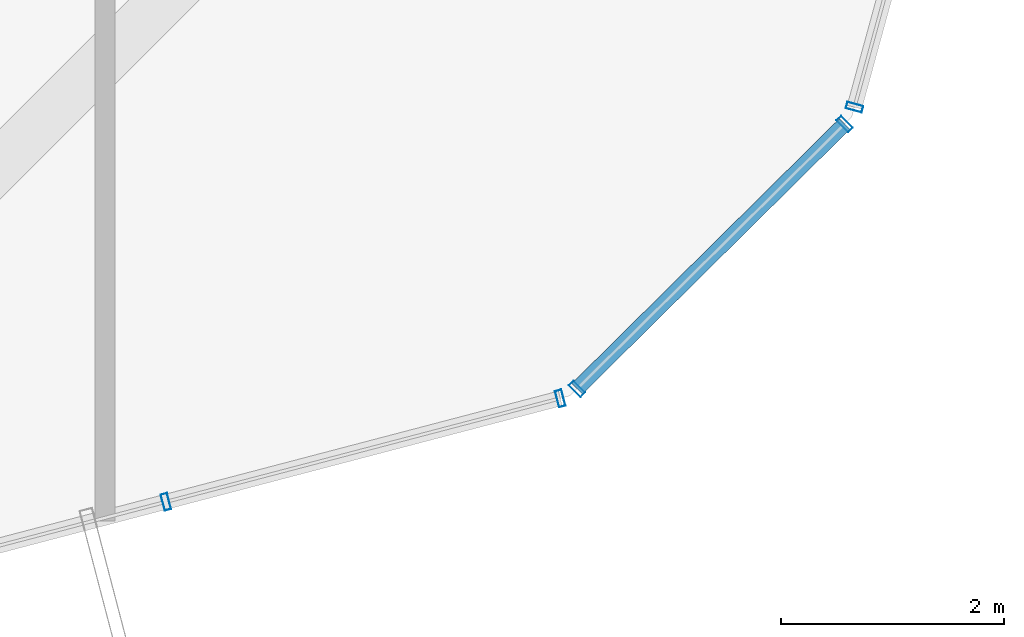
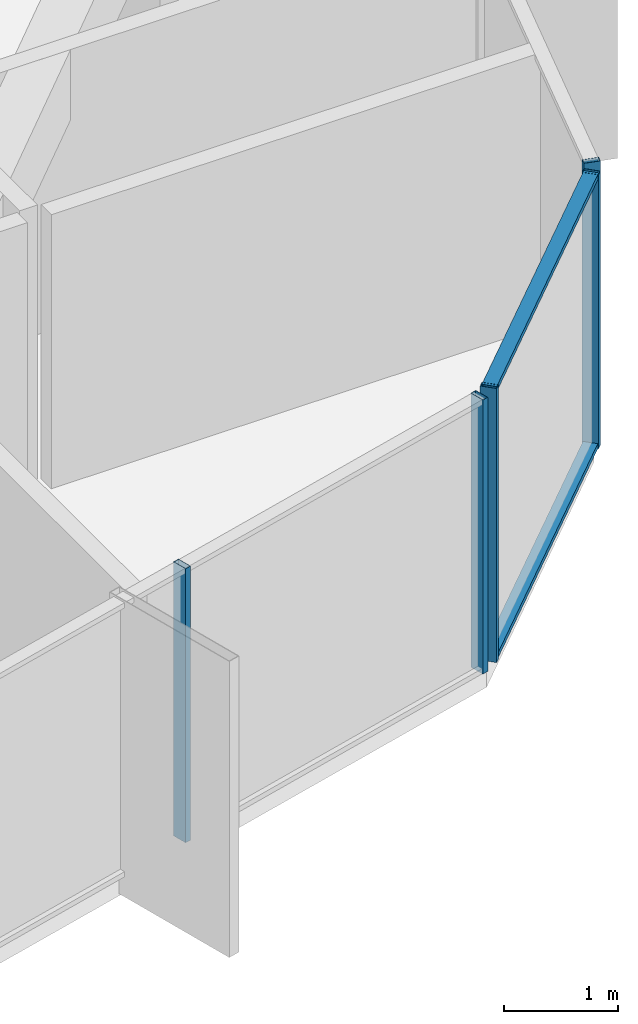
# One storey, part 10 of 29: 7 members, 3 elements without a shape of their own.
"""IFC4 building model written with IfcOpenShell, lengths in metres."""

from ifc_helpers import new_model, si_unit, direction, frame, origin, origin_2d, place, context, subcontext, project, spatial, hollow_rectangle, extrude, source, transform, mapped, material, layer, layer_set, material_profile, profile_set, type_object, element, aggregate, save


model = new_model("IFC4")

# Units and contexts
model_context = context("Model", 3, precision=1e-05, world=origin(), true_north=direction((0.0, 1.0)))
body_context = subcontext(model_context, "Body", "Model", "MODEL_VIEW")
ifc_project = project(units=[si_unit("LENGTHUNIT", "METRE"), si_unit("AREAUNIT", "SQUARE_METRE"), si_unit("VOLUMEUNIT", "CUBIC_METRE"), si_unit("PLANEANGLEUNIT", "RADIAN"), si_unit("MASSUNIT", "GRAM", prefix="KILO")], contexts=[model_context])

# Site, building, storey
site_placement = place(None, origin())
site = spatial("IfcSite", under=ifc_project, at=site_placement, CompositionType="ELEMENT")
building_placement = place(site_placement, origin())
building = spatial("IfcBuilding", under=site, at=building_placement, Name="Veraguas Prism Commons", CompositionType="ELEMENT")
storey_placement = place(building_placement, frame((0.0, 0.0, 261.0)))
storey = spatial("IfcBuildingStorey", under=building, at=storey_placement, Name="L74", CompositionType="ELEMENT", Elevation=261.0)

# Curtain wall, members
ifc_material = material(Name="Anodised aluminium EN AW-6063 T6", Category="aluminium")
ifc_layer = layer(ifc_material, 0.14990234375, Name="Unitised Flush Curtain Wall Zone 4", Category="aluminium")
ifc_layer_set = layer_set([ifc_layer], Name="Anodised aluminium EN AW-6063 T6")
curtain_wall_type = type_object("IfcCurtainWallType", Name="Unitised Flush Curtain Wall Zone 4", PredefinedType="NOTDEFINED", material=ifc_layer_set)
curtain_wall_1_placement = place(storey_placement, origin())
curtain_wall_1 = element("IfcCurtainWall", 1, at=curtain_wall_1_placement, inside=storey, type_object=curtain_wall_type, Name="Chamfer Curtain Wall L74-C6", PredefinedType="NOTDEFINED")
ifc_material_profile_1 = material_profile(ifc_material, hollow_rectangle(XDim=0.054931640625, YDim=0.135009765625, WallThickness=0.0029296875, at=origin_2d()), Name="AL55X135X3")
ifc_profile_set_1 = profile_set([ifc_material_profile_1], Name="Anodised aluminium EN AW-6063 T6")
member_type_1 = type_object("IfcMemberType", Name="Curtain Wall Transom Standard AL 55x135x3", PredefinedType="USERDEFINED", material=ifc_profile_set_1)
shared_shape_1 = source(origin(), body_context, "Body", "SweptSolid", [
    extrude(hollow_rectangle(XDim=0.054931640625, YDim=0.135009765625, WallThickness=0.0029296875, at=origin_2d()), origin(), (0.0, 0.0, 1.0), 3.382568359375),
])
member_1_placement = place(storey_placement, frame((35.43896484375, 10.0361328125, 0.027587890625), z_axis=(0.710814205159, 0.703379816133, 0.0), x_axis=(0.0, 0.0, 1.0)))
member_1 = element("IfcMember", 2, at=member_1_placement, type_object=member_type_1, Name="CW-Z4 Transom 1", ObjectType="TRANSOM", PredefinedType="USERDEFINED", context=body_context, shape_type="MappedRepresentation", body=[
    mapped(shared_shape_1, transform((0.0, 0.0, 0.0), scale=1.0)),
])
member_2_placement = place(storey_placement, frame((35.43896484375, 10.0361328125, 2.902587890625), z_axis=(0.710814205159, 0.703379816133, 0.0), x_axis=(0.0, 0.0, 1.0)))
member_2 = element("IfcMember", 3, at=member_2_placement, type_object=member_type_1, Name="CW-Z4 Transom 2", ObjectType="TRANSOM", PredefinedType="USERDEFINED", context=body_context, shape_type="MappedRepresentation", body=[
    mapped(shared_shape_1, transform((0.0, 0.0, 0.0), scale=1.0)),
])

curtain_wall_2_placement = place(storey_placement, origin())
curtain_wall_2 = element("IfcCurtainWall", 4, at=curtain_wall_2_placement, inside=storey, type_object=curtain_wall_type, Name="Tower Facade Curtain Wall L74-F5", PredefinedType="NOTDEFINED")
ifc_material_profile_2 = material_profile(ifc_material, hollow_rectangle(XDim=0.06005859375, YDim=0.14990234375, WallThickness=0.0029296875, at=origin_2d()), Name="AL60X150X3")
ifc_profile_set_2 = profile_set([ifc_material_profile_2], Name="Anodised aluminium EN AW-6063 T6")
member_type_2 = type_object("IfcMemberType", Name="Curtain Wall Mullion Upper AL 60x150x3", PredefinedType="MULLION", material=ifc_profile_set_2)
shared_shape_2 = source(origin(), body_context, "Body", "SweptSolid", [
    extrude(hollow_rectangle(XDim=0.06005859375, YDim=0.14990234375, WallThickness=0.0029296875, at=origin_2d()), origin(), (0.0, 0.0, 1.0), 2.929931640625),
])
member_3_placement = place(storey_placement, frame((31.746337890625, 9.02099609375, 0.0), z_axis=(0.0, 0.0, 1.0), x_axis=(0.967265981188, 0.253764697381, 0.0)))
member_3 = element("IfcMember", 5, at=member_3_placement, type_object=member_type_2, Name="CW-Z4 Mullion 4", PredefinedType="MULLION", context=body_context, shape_type="MappedRepresentation", body=[
    mapped(shared_shape_2, transform((0.0, 0.0, 0.0), scale=1.0)),
])
member_4_placement = place(storey_placement, frame((35.2880859375, 9.9501953125, 0.0), z_axis=(0.0, 0.0, 1.0), x_axis=(0.967265981188, 0.253764697381, 0.0)))
member_4 = element("IfcMember", 6, at=member_4_placement, type_object=member_type_2, Name="CW-Z4 Mullion 5", PredefinedType="MULLION", context=body_context, shape_type="MappedRepresentation", body=[
    mapped(shared_shape_2, transform((0.0, 0.0, 0.0), scale=1.0)),
])
aggregate(curtain_wall_2, [member_3, member_4])

# Curtain wall, member
curtain_wall_3_placement = place(storey_placement, origin())
curtain_wall_3 = element("IfcCurtainWall", 7, at=curtain_wall_3_placement, inside=storey, type_object=curtain_wall_type, Name="Tower Facade Curtain Wall L74-F6", PredefinedType="NOTDEFINED")
member_5_placement = place(storey_placement, frame((37.930908203125, 12.5654296875, 0.0), z_axis=(0.0, 0.0, 1.0), x_axis=(0.263883150773, 0.964554655133, 0.0)))
member_5 = element("IfcMember", 8, at=member_5_placement, type_object=member_type_2, Name="CW-Z4 Mullion 1", PredefinedType="MULLION", context=body_context, shape_type="MappedRepresentation", body=[
    mapped(shared_shape_2, transform((0.0, 0.0, 0.0), scale=1.0)),
])
aggregate(curtain_wall_3, [member_5])

# Member
member_6_placement = place(storey_placement, frame((35.43896484375, 10.0361328125, 0.0), z_axis=(0.0, 0.0, 1.0), x_axis=(0.71081543321, 0.703378575101, 0.0)))
member_6 = element("IfcMember", 9, at=member_6_placement, type_object=member_type_2, Name="CW-Z4 Mullion 1", PredefinedType="MULLION", context=body_context, shape_type="MappedRepresentation", body=[
    mapped(shared_shape_2, transform((0.0, 0.0, 0.0), scale=1.0)),
])

member_7_placement = place(storey_placement, frame((37.84326171875, 12.415283203125, 0.0), z_axis=(0.0, 0.0, 1.0), x_axis=(0.71081543321, 0.703378575101, 0.0)))
member_7 = element("IfcMember", 10, at=member_7_placement, type_object=member_type_2, Name="CW-Z4 Mullion 2", PredefinedType="MULLION", context=body_context, shape_type="MappedRepresentation", body=[
    mapped(shared_shape_2, transform((0.0, 0.0, 0.0), scale=1.0)),
])

aggregate(curtain_wall_1, [member_6, member_7, member_1, member_2])

save(model, "model.ifc")
